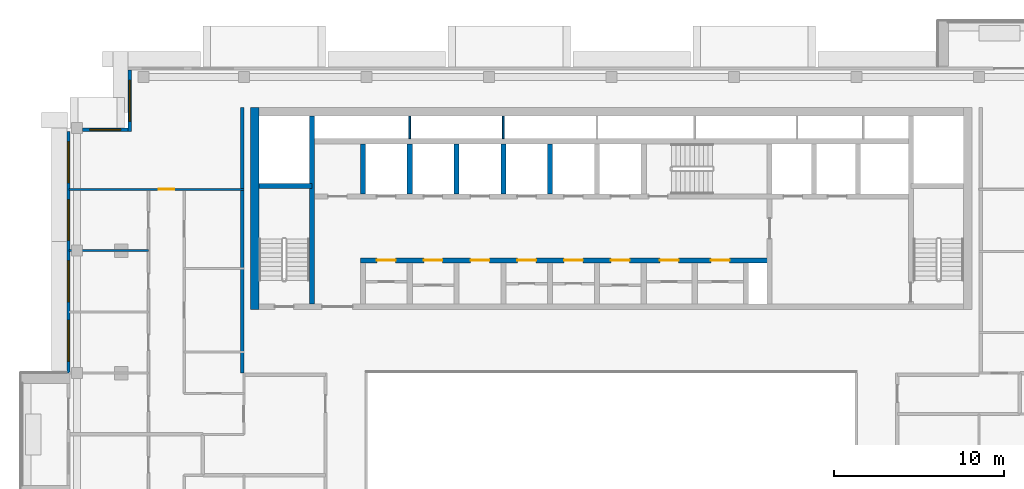
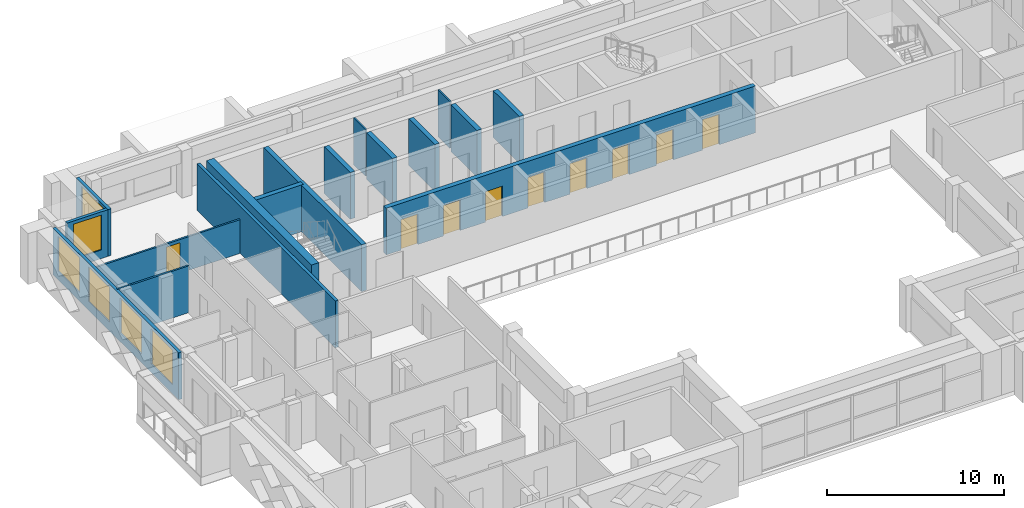
# One storey, part 10 of 19: 17 walls, 9 doors, 6 windows, 15 openings.
"""IFC4 building model written with IfcOpenShell, lengths in metres."""

from ifc_helpers import new_model, si_unit, direction, frame, frame_2d, origin, place, context, subcontext, project, spatial, rectangle, extrude, material, layer, layer_set, type_object, element, fill, save


model = new_model("IFC4")

# Units and contexts
model_context = context("Model", 3, precision=1e-05, world=origin(), true_north=direction((0.0, 1.0)))
body_context = subcontext(model_context, "Body", "Model", "MODEL_VIEW")
ifc_project = project(units=[si_unit("LENGTHUNIT", "METRE"), si_unit("AREAUNIT", "SQUARE_METRE"), si_unit("VOLUMEUNIT", "CUBIC_METRE"), si_unit("PLANEANGLEUNIT", "RADIAN"), si_unit("MASSUNIT", "GRAM", prefix="KILO")], contexts=[model_context])

# Site, building, storey
site_placement = place(None, origin())
site = spatial("IfcSite", under=ifc_project, at=site_placement, CompositionType="ELEMENT")
building_placement = place(site_placement, origin())
building = spatial("IfcBuilding", under=site, at=building_placement, Name="Saffron Iwan Residences", CompositionType="ELEMENT")
storey_placement = place(building_placement, frame((0.0, 0.0, 236.0)))
storey = spatial("IfcBuildingStorey", under=building, at=storey_placement, Name="L63", CompositionType="ELEMENT", Elevation=236.0)

# Wall, opening, window
ifc_material_1 = material(Name="Concrete C40/50", Category="concrete")
ifc_layer_1 = layer(ifc_material_1, 0.199951171875)
ifc_layer_set_1 = layer_set([ifc_layer_1], Name="Concrete C40/50")
wall_type_1 = type_object("IfcWallType", Name="EXTERNAL WALL 200", PredefinedType="SOLIDWALL", material=ifc_layer_set_1)
wall_1_placement = place(storey_placement, frame((22.10009765625, 80.199951171875, 0.0), z_axis=(0.0, 0.0, 1.0), x_axis=(0.0, -1.0, 0.0)))
wall_1 = element("IfcWall", 1, at=wall_1_placement, inside=storey, type_object=wall_type_1, Name="External wall L63 F6.0", PredefinedType="SOLIDWALL", context=body_context, shape_type="SweptSolid", body=[
    extrude(rectangle(XDim=3.599853515625, YDim=0.199951171875, at=frame_2d((1.7998046875, 0.0))), origin(), (0.0, 0.0, 1.0), 3.219970703125),
])
opening_1_placement = place(wall_1_placement, frame((0.60009765625, 0.0, 0.60009765625)))
opening_1 = element("IfcOpeningElement", 2, at=opening_1_placement, cuts=wall_1, Name="Opening W1", PredefinedType="OPENING", context=body_context, shape_type="SweptSolid", body=[
    extrude(rectangle(XDim=2.39990234375, YDim=2.39990234375, at=frame_2d((1.199951171875, 1.199951171875))), frame((0.0, 0.10986328125, 0.0), z_axis=(0.0, -1.0, 0.0), x_axis=(1.0, 0.0, 0.0)), (0.0, 0.0, 1.0), 0.219970703125),
])
ifc_material_2 = material(Name="Clear glass, laminated double glazed", Category="glass")
window_type_1 = type_object("IfcWindowType", Name="WINDOW 2400 x 2400", PartitioningType="DOUBLE_PANEL_VERTICAL", PredefinedType="WINDOW", material=ifc_material_2)
window_1_placement = place(opening_1_placement, origin())
window_1 = element("IfcWindow", 3, at=window_1_placement, inside=storey, type_object=window_type_1, Name="Window L63 F6.0", OverallHeight=2.39990234375, OverallWidth=2.39990234375, PartitioningType="DOUBLE_PANEL_VERTICAL", PredefinedType="WINDOW", context=body_context, shape_type="SweptSolid", body=[
    extrude(rectangle(XDim=2.39990234375, YDim=2.39990234375, at=frame_2d((1.199951171875, 1.199951171875))), frame((0.0, 0.030029296875, 0.0), z_axis=(0.0, -1.0, 0.0), x_axis=(1.0, 0.0, 0.0)), (0.0, 0.0, 1.0), 0.06005859375),
])
fill(opening_1, window_1)

wall_2_placement = place(storey_placement, frame((22.0, 76.699951171875, 0.0), z_axis=(0.0, 0.0, 1.0), x_axis=(-1.0, 0.0, 0.0)))
wall_2 = element("IfcWall", 4, at=wall_2_placement, inside=storey, type_object=wall_type_1, Name="External wall L63 F7.0", PredefinedType="SOLIDWALL", context=body_context, shape_type="SweptSolid", body=[
    extrude(rectangle(XDim=2.675048828125, YDim=0.199951171875, at=frame_2d((1.33740234375, 0.0))), origin(), (0.0, 0.0, 1.0), 3.219970703125),
])
opening_2_placement = place(wall_2_placement, frame((0.4375, 0.0, 0.60009765625)))
opening_2 = element("IfcOpeningElement", 5, at=opening_2_placement, cuts=wall_2, Name="Opening W8", PredefinedType="OPENING", context=body_context, shape_type="SweptSolid", body=[
    extrude(rectangle(XDim=1.800048828125, YDim=2.39990234375, at=frame_2d((0.89990234375, 1.199951171875))), frame((0.0, 0.10986328125, 0.0), z_axis=(0.0, -1.0, 0.0), x_axis=(1.0, 0.0, 0.0)), (0.0, 0.0, 1.0), 0.219970703125),
])
window_type_2 = type_object("IfcWindowType", Name="WINDOW 1800 x 2400", PartitioningType="DOUBLE_PANEL_VERTICAL", PredefinedType="WINDOW", material=ifc_material_2)
window_2_placement = place(opening_2_placement, origin())
window_2 = element("IfcWindow", 6, at=window_2_placement, inside=storey, type_object=window_type_2, Name="Window L63 F7.0", OverallHeight=2.39990234375, OverallWidth=1.800048828125, PartitioningType="DOUBLE_PANEL_VERTICAL", PredefinedType="WINDOW", context=body_context, shape_type="SweptSolid", body=[
    extrude(rectangle(XDim=1.800048828125, YDim=2.39990234375, at=frame_2d((0.89990234375, 1.199951171875))), frame((0.0, 0.030029296875, 0.0), z_axis=(0.0, -1.0, 0.0), x_axis=(1.0, 0.0, 0.0)), (0.0, 0.0, 1.0), 0.06005859375),
])
fill(opening_2, window_2)

# Wall, openings, windows
wall_3_placement = place(storey_placement, frame((18.5, 76.60009765625, 0.0), z_axis=(0.0, 0.0, 1.0), x_axis=(0.0, -1.0, 0.0)))
wall_3 = element("IfcWall", 7, at=wall_3_placement, inside=storey, type_object=wall_type_1, Name="External wall L63 F8.0", PredefinedType="SOLIDWALL", context=body_context, shape_type="SweptSolid", body=[
    extrude(rectangle(XDim=14.2001953125, YDim=0.199951171875, at=frame_2d((7.10009765625, 0.0))), origin(), (0.0, 0.0, 1.0), 3.219970703125),
])
opening_3_placement = place(wall_3_placement, frame((11.10009765625, 0.0, 0.60009765625)))
opening_3 = element("IfcOpeningElement", 8, at=opening_3_placement, cuts=wall_3, Name="Opening W1", PredefinedType="OPENING", context=body_context, shape_type="SweptSolid", body=[
    extrude(rectangle(XDim=2.39990234375, YDim=2.39990234375, at=frame_2d((1.199951171875, 1.199951171875))), frame((0.0, 0.10986328125, 0.0), z_axis=(0.0, -1.0, 0.0), x_axis=(1.0, 0.0, 0.0)), (0.0, 0.0, 1.0), 0.219970703125),
])
opening_4_placement = place(wall_3_placement, frame((7.60009765625, 0.0, 0.60009765625)))
opening_4 = element("IfcOpeningElement", 9, at=opening_4_placement, cuts=wall_3, Name="Opening W1", PredefinedType="OPENING", context=body_context, shape_type="SweptSolid", body=[
    extrude(rectangle(XDim=2.39990234375, YDim=2.39990234375, at=frame_2d((1.199951171875, 1.199951171875))), frame((0.0, 0.10986328125, 0.0), z_axis=(0.0, -1.0, 0.0), x_axis=(1.0, 0.0, 0.0)), (0.0, 0.0, 1.0), 0.219970703125),
])
opening_5_placement = place(wall_3_placement, frame((4.0, 0.0, 0.60009765625)))
opening_5 = element("IfcOpeningElement", 10, at=opening_5_placement, cuts=wall_3, Name="Opening W1", PredefinedType="OPENING", context=body_context, shape_type="SweptSolid", body=[
    extrude(rectangle(XDim=2.39990234375, YDim=2.39990234375, at=frame_2d((1.199951171875, 1.199951171875))), frame((0.0, 0.10986328125, 0.0), z_axis=(0.0, -1.0, 0.0), x_axis=(1.0, 0.0, 0.0)), (0.0, 0.0, 1.0), 0.219970703125),
])
opening_6_placement = place(wall_3_placement, frame((0.60009765625, 0.0, 0.60009765625)))
opening_6 = element("IfcOpeningElement", 11, at=opening_6_placement, cuts=wall_3, Name="Opening W1", PredefinedType="OPENING", context=body_context, shape_type="SweptSolid", body=[
    extrude(rectangle(XDim=2.39990234375, YDim=2.39990234375, at=frame_2d((1.199951171875, 1.199951171875))), frame((0.0, 0.10986328125, 0.0), z_axis=(0.0, -1.0, 0.0), x_axis=(1.0, 0.0, 0.0)), (0.0, 0.0, 1.0), 0.219970703125),
])
window_3_placement = place(opening_3_placement, origin())
window_3 = element("IfcWindow", 12, at=window_3_placement, inside=storey, type_object=window_type_1, Name="Window L63 F8.0", OverallHeight=2.39990234375, OverallWidth=2.39990234375, PartitioningType="DOUBLE_PANEL_VERTICAL", PredefinedType="WINDOW", context=body_context, shape_type="SweptSolid", body=[
    extrude(rectangle(XDim=2.39990234375, YDim=2.39990234375, at=frame_2d((1.199951171875, 1.199951171875))), frame((0.0, 0.030029296875, 0.0), z_axis=(0.0, -1.0, 0.0), x_axis=(1.0, 0.0, 0.0)), (0.0, 0.0, 1.0), 0.06005859375),
])
fill(opening_3, window_3)
window_4_placement = place(opening_4_placement, origin())
window_4 = element("IfcWindow", 13, at=window_4_placement, inside=storey, type_object=window_type_1, Name="Window L63 F8.1", OverallHeight=2.39990234375, OverallWidth=2.39990234375, PartitioningType="DOUBLE_PANEL_VERTICAL", PredefinedType="WINDOW", context=body_context, shape_type="SweptSolid", body=[
    extrude(rectangle(XDim=2.39990234375, YDim=2.39990234375, at=frame_2d((1.199951171875, 1.199951171875))), frame((0.0, 0.030029296875, 0.0), z_axis=(0.0, -1.0, 0.0), x_axis=(1.0, 0.0, 0.0)), (0.0, 0.0, 1.0), 0.06005859375),
])
fill(opening_4, window_4)
window_5_placement = place(opening_5_placement, origin())
window_5 = element("IfcWindow", 14, at=window_5_placement, inside=storey, type_object=window_type_1, Name="Window L63 F8.2", OverallHeight=2.39990234375, OverallWidth=2.39990234375, PartitioningType="DOUBLE_PANEL_VERTICAL", PredefinedType="WINDOW", context=body_context, shape_type="SweptSolid", body=[
    extrude(rectangle(XDim=2.39990234375, YDim=2.39990234375, at=frame_2d((1.199951171875, 1.199951171875))), frame((0.0, 0.030029296875, 0.0), z_axis=(0.0, -1.0, 0.0), x_axis=(1.0, 0.0, 0.0)), (0.0, 0.0, 1.0), 0.06005859375),
])
fill(opening_5, window_5)
window_6_placement = place(opening_6_placement, origin())
window_6 = element("IfcWindow", 15, at=window_6_placement, inside=storey, type_object=window_type_1, Name="Window L63 F8.3", OverallHeight=2.39990234375, OverallWidth=2.39990234375, PartitioningType="DOUBLE_PANEL_VERTICAL", PredefinedType="WINDOW", context=body_context, shape_type="SweptSolid", body=[
    extrude(rectangle(XDim=2.39990234375, YDim=2.39990234375, at=frame_2d((1.199951171875, 1.199951171875))), frame((0.0, 0.030029296875, 0.0), z_axis=(0.0, -1.0, 0.0), x_axis=(1.0, 0.0, 0.0)), (0.0, 0.0, 1.0), 0.06005859375),
])
fill(opening_6, window_6)

# Wall
ifc_material_3 = material(Name="Gypsum board partition")
ifc_layer_2 = layer(ifc_material_3, 0.1201171875)
ifc_layer_set_2 = layer_set([ifc_layer_2], Name="Gypsum board partition")
wall_type_2 = type_object("IfcWallType", Name="Flat partition 120", PredefinedType="PARTITIONING", material=ifc_layer_set_2)
wall_4_placement = place(storey_placement, frame((18.52490234375, 69.60009765625, 0.0), z_axis=(0.0, 0.0, 1.0), x_axis=(1.0, 0.0, 0.0)))
element("IfcWall", 16, at=wall_4_placement, inside=storey, type_object=wall_type_2, Name="W-L63-PART-h69.6-18.525", PredefinedType="PARTITIONING", context=body_context, shape_type="SweptSolid", body=[
    extrude(rectangle(XDim=4.675048828125, YDim=0.1201171875, at=frame_2d((2.33740234375, 0.0))), origin(), (0.0, 0.0, 1.0), 3.219970703125),
])

# Wall, opening, door
wall_5_placement = place(storey_placement, frame((18.52490234375, 73.199951171875, 0.0), z_axis=(0.0, 0.0, 1.0), x_axis=(1.0, 0.0, 0.0)))
wall_5 = element("IfcWall", 17, at=wall_5_placement, inside=storey, type_object=wall_type_2, Name="W-L63-PART-h73.2-18.525", PredefinedType="PARTITIONING", context=body_context, shape_type="SweptSolid", body=[
    extrude(rectangle(XDim=10.275146484375, YDim=0.1201171875, at=frame_2d((5.1376953125, 0.0))), origin(), (0.0, 0.0, 1.0), 2.320068359375),
])
opening_7_placement = place(wall_5_placement, frame((5.27490234375, 0.0, 0.0)))
opening_7 = element("IfcOpeningElement", 18, at=opening_7_placement, cuts=wall_5, Name="Opening FD2", PredefinedType="OPENING", context=body_context, shape_type="SweptSolid", body=[
    extrude(rectangle(XDim=0.89990234375, YDim=2.10009765625, at=frame_2d((0.449951171875, 1.050048828125))), frame((0.0, 0.070068359375, 0.0), z_axis=(0.0, -1.0, 0.0), x_axis=(1.0, 0.0, 0.0)), (0.0, 0.0, 1.0), 0.14013671875),
])
ifc_material_4 = material(Name="Timber door", Category="wood")
door_type_1 = type_object("IfcDoorType", Name="Flat door 900", OperationType="NOTDEFINED", PredefinedType="DOOR", material=ifc_material_4)
door_1_placement = place(opening_7_placement, origin())
door_1 = element("IfcDoor", 19, at=door_1_placement, inside=storey, type_object=door_type_1, Name="Door L63-029", OperationType="SINGLE_SWING_LEFT", OverallHeight=2.10009765625, OverallWidth=0.89990234375, PredefinedType="DOOR", context=body_context, shape_type="SweptSolid", body=[
    extrude(rectangle(XDim=0.89990234375, YDim=2.10009765625, at=frame_2d((0.449951171875, 1.050048828125))), frame((0.0, 0.02490234375, 0.0), z_axis=(0.0, -1.0, 0.0), x_axis=(1.0, 0.0, 0.0)), (0.0, 0.0, 1.0), 0.050048828125),
])
fill(opening_7, door_1)

# Walls
ifc_material_5 = material(Name="Fire-rated gypsum board wall")
ifc_layer_3 = layer(ifc_material_5, 0.199951171875)
ifc_layer_set_3 = layer_set([ifc_layer_3], Name="Fire-rated gypsum board wall")
wall_type_3 = type_object("IfcWallType", Name="Gallery wall 200", PredefinedType="SOLIDWALL", material=ifc_layer_set_3)
wall_6_placement = place(storey_placement, frame((28.699951171875, 62.39990234375, 0.0), z_axis=(0.0, 0.0, 1.0), x_axis=(0.0, 1.0, 0.0)))
element("IfcWall", 20, at=wall_6_placement, inside=storey, type_object=wall_type_3, Name="W-L63-CORR-v28.8-62.4", PredefinedType="SOLIDWALL", context=body_context, shape_type="SweptSolid", body=[
    extrude(rectangle(XDim=15.60009765625, YDim=0.199951171875, at=frame_2d((7.800048828125, 0.0))), origin(), (0.0, 0.0, 1.0), 3.219970703125),
])
ifc_material_6 = material(Name="Fire-rated plasterboard partition")
ifc_layer_4 = layer(ifc_material_6, 0.10009765625)
ifc_layer_set_4 = layer_set([ifc_layer_4], Name="Fire-rated plasterboard partition")
wall_type_4 = type_object("IfcWallType", Name="Riser partition 100", PredefinedType="PARTITIONING", material=ifc_layer_set_4)
for number, where, z_axis, x_axis, name in (
    (21, (38.550048828125, 76.175048828125, 0.0), (0.0, 0.0, 1.0), (0.0, 1.0, 0.0), "Core partition P08"),
    (22, (44.050048828125, 76.175048828125, 0.0), (0.0, 0.0, 1.0), (0.0, 1.0, 0.0), "Core partition P09"),
):
    element("IfcWall", number, at=place(storey_placement, frame(where, z_axis=z_axis, x_axis=x_axis)), inside=storey, type_object=wall_type_4, Name=name, PredefinedType="PARTITIONING", context=body_context, shape_type="SweptSolid", body=[
        extrude(rectangle(XDim=1.324951171875, YDim=0.10009765625, at=frame_2d((0.66259765625, 0.0))), origin(), (0.0, 0.0, 1.0), 3.219970703125),
    ])

# Wall, openings, doors
ifc_layer_5 = layer(ifc_material_1, 0.300048828125)
ifc_layer_set_5 = layer_set([ifc_layer_5], Name="Concrete C40/50")
wall_type_5 = type_object("IfcWallType", Name="WALL CORE 300 C40/50 3220 HIGH", PredefinedType="SHEAR", material=ifc_layer_set_5)
wall_7_placement = place(storey_placement, frame((35.64990234375, 69.02490234375, 0.0), z_axis=(0.0, 0.0, 1.0), x_axis=(1.0, 0.0, 0.0)))
wall_7 = element("IfcWall", 23, at=wall_7_placement, inside=storey, type_object=wall_type_5, Name="Core wall", PredefinedType="SHEAR", context=body_context, shape_type="SweptSolid", body=[
    extrude(rectangle(XDim=24.050048828125, YDim=0.300048828125, at=frame_2d((12.02490234375, 0.0))), origin(), (0.0, 0.0, 1.0), 3.219970703125),
])
opening_8_placement = place(wall_7_placement, frame((0.97509765625, 0.0, 0.0)))
opening_8 = element("IfcOpeningElement", 24, at=opening_8_placement, cuts=wall_7, Name="Opening SR", PredefinedType="OPENING", context=body_context, shape_type="SweptSolid", body=[
    extrude(rectangle(XDim=1.10009765625, YDim=2.10009765625, at=frame_2d((0.550048828125, 1.050048828125))), frame((0.0, 0.16015625, 0.0), z_axis=(0.0, -1.0, 0.0), x_axis=(1.0, 0.0, 0.0)), (0.0, 0.0, 1.0), 0.320068359375),
])
opening_9_placement = place(wall_7_placement, frame((3.72509765625, 0.0, 0.0)))
opening_9 = element("IfcOpeningElement", 25, at=opening_9_placement, cuts=wall_7, Name="Opening SR", PredefinedType="OPENING", context=body_context, shape_type="SweptSolid", body=[
    extrude(rectangle(XDim=1.10009765625, YDim=2.10009765625, at=frame_2d((0.550048828125, 1.050048828125))), frame((0.0, 0.16015625, 0.0), z_axis=(0.0, -1.0, 0.0), x_axis=(1.0, 0.0, 0.0)), (0.0, 0.0, 1.0), 0.320068359375),
])
opening_10_placement = place(wall_7_placement, frame((6.47509765625, 0.0, 0.0)))
opening_10 = element("IfcOpeningElement", 26, at=opening_10_placement, cuts=wall_7, Name="Opening SR", PredefinedType="OPENING", context=body_context, shape_type="SweptSolid", body=[
    extrude(rectangle(XDim=1.10009765625, YDim=2.10009765625, at=frame_2d((0.550048828125, 1.050048828125))), frame((0.0, 0.16015625, 0.0), z_axis=(0.0, -1.0, 0.0), x_axis=(1.0, 0.0, 0.0)), (0.0, 0.0, 1.0), 0.320068359375),
])
opening_11_placement = place(wall_7_placement, frame((9.22509765625, 0.0, 0.0)))
opening_11 = element("IfcOpeningElement", 27, at=opening_11_placement, cuts=wall_7, Name="Opening SR", PredefinedType="OPENING", context=body_context, shape_type="SweptSolid", body=[
    extrude(rectangle(XDim=1.10009765625, YDim=2.10009765625, at=frame_2d((0.550048828125, 1.050048828125))), frame((0.0, 0.16015625, 0.0), z_axis=(0.0, -1.0, 0.0), x_axis=(1.0, 0.0, 0.0)), (0.0, 0.0, 1.0), 0.320068359375),
])
opening_12_placement = place(wall_7_placement, frame((11.97509765625, 0.0, 0.0)))
opening_12 = element("IfcOpeningElement", 28, at=opening_12_placement, cuts=wall_7, Name="Opening SR", PredefinedType="OPENING", context=body_context, shape_type="SweptSolid", body=[
    extrude(rectangle(XDim=1.10009765625, YDim=2.10009765625, at=frame_2d((0.550048828125, 1.050048828125))), frame((0.0, 0.16015625, 0.0), z_axis=(0.0, -1.0, 0.0), x_axis=(1.0, 0.0, 0.0)), (0.0, 0.0, 1.0), 0.320068359375),
])
opening_13_placement = place(wall_7_placement, frame((14.72509765625, 0.0, 0.0)))
opening_13 = element("IfcOpeningElement", 29, at=opening_13_placement, cuts=wall_7, Name="Opening SR", PredefinedType="OPENING", context=body_context, shape_type="SweptSolid", body=[
    extrude(rectangle(XDim=1.10009765625, YDim=2.10009765625, at=frame_2d((0.550048828125, 1.050048828125))), frame((0.0, 0.16015625, 0.0), z_axis=(0.0, -1.0, 0.0), x_axis=(1.0, 0.0, 0.0)), (0.0, 0.0, 1.0), 0.320068359375),
])
opening_14_placement = place(wall_7_placement, frame((17.60009765625, 0.0, 0.0)))
opening_14 = element("IfcOpeningElement", 30, at=opening_14_placement, cuts=wall_7, Name="Opening SR", PredefinedType="OPENING", context=body_context, shape_type="SweptSolid", body=[
    extrude(rectangle(XDim=1.10009765625, YDim=2.10009765625, at=frame_2d((0.550048828125, 1.050048828125))), frame((0.0, 0.16015625, 0.0), z_axis=(0.0, -1.0, 0.0), x_axis=(1.0, 0.0, 0.0)), (0.0, 0.0, 1.0), 0.320068359375),
])
opening_15_placement = place(wall_7_placement, frame((20.60009765625, 0.0, 0.0)))
opening_15 = element("IfcOpeningElement", 31, at=opening_15_placement, cuts=wall_7, Name="Opening SR", PredefinedType="OPENING", context=body_context, shape_type="SweptSolid", body=[
    extrude(rectangle(XDim=1.10009765625, YDim=2.10009765625, at=frame_2d((0.550048828125, 1.050048828125))), frame((0.0, 0.16015625, 0.0), z_axis=(0.0, -1.0, 0.0), x_axis=(1.0, 0.0, 0.0)), (0.0, 0.0, 1.0), 0.320068359375),
])
ifc_material_7 = material(Name="Steel fire door", Category="steel")
door_type_2 = type_object("IfcDoorType", Name="Service door 1100", OperationType="NOTDEFINED", PredefinedType="DOOR", material=ifc_material_7)
door_2_placement = place(opening_8_placement, origin())
door_2 = element("IfcDoor", 32, at=door_2_placement, inside=storey, type_object=door_type_2, Name="Door Switch room", OperationType="SINGLE_SWING_RIGHT", OverallHeight=2.10009765625, OverallWidth=1.10009765625, PredefinedType="DOOR", context=body_context, shape_type="SweptSolid", body=[
    extrude(rectangle(XDim=1.10009765625, YDim=2.10009765625, at=frame_2d((0.550048828125, 1.050048828125))), frame((0.0, 0.02490234375, 0.0), z_axis=(0.0, -1.0, 0.0), x_axis=(1.0, 0.0, 0.0)), (0.0, 0.0, 1.0), 0.050048828125),
])
fill(opening_8, door_2)
door_3_placement = place(opening_9_placement, origin())
door_3 = element("IfcDoor", 33, at=door_3_placement, inside=storey, type_object=door_type_2, Name="Door Furniture store", OperationType="SINGLE_SWING_LEFT", OverallHeight=2.10009765625, OverallWidth=1.10009765625, PredefinedType="DOOR", context=body_context, shape_type="SweptSolid", body=[
    extrude(rectangle(XDim=1.10009765625, YDim=2.10009765625, at=frame_2d((0.550048828125, 1.050048828125))), frame((0.0, 0.02490234375, 0.0), z_axis=(0.0, -1.0, 0.0), x_axis=(1.0, 0.0, 0.0)), (0.0, 0.0, 1.0), 0.050048828125),
])
fill(opening_9, door_3)
door_4_placement = place(opening_10_placement, origin())
door_4 = element("IfcDoor", 34, at=door_4_placement, inside=storey, type_object=door_type_2, Name="Door Housekeeping store", OperationType="SINGLE_SWING_RIGHT", OverallHeight=2.10009765625, OverallWidth=1.10009765625, PredefinedType="DOOR", context=body_context, shape_type="SweptSolid", body=[
    extrude(rectangle(XDim=1.10009765625, YDim=2.10009765625, at=frame_2d((0.550048828125, 1.050048828125))), frame((0.0, 0.02490234375, 0.0), z_axis=(0.0, -1.0, 0.0), x_axis=(1.0, 0.0, 0.0)), (0.0, 0.0, 1.0), 0.050048828125),
])
fill(opening_10, door_4)
door_5_placement = place(opening_11_placement, origin())
door_5 = element("IfcDoor", 35, at=door_5_placement, inside=storey, type_object=door_type_2, Name="Door Cleaner's store", OperationType="SINGLE_SWING_LEFT", OverallHeight=2.10009765625, OverallWidth=1.10009765625, PredefinedType="DOOR", context=body_context, shape_type="SweptSolid", body=[
    extrude(rectangle(XDim=1.10009765625, YDim=2.10009765625, at=frame_2d((0.550048828125, 1.050048828125))), frame((0.0, 0.02490234375, 0.0), z_axis=(0.0, -1.0, 0.0), x_axis=(1.0, 0.0, 0.0)), (0.0, 0.0, 1.0), 0.050048828125),
])
fill(opening_11, door_5)
door_6_placement = place(opening_12_placement, origin())
door_6 = element("IfcDoor", 36, at=door_6_placement, inside=storey, type_object=door_type_2, Name="Door Trolley store", OperationType="SINGLE_SWING_RIGHT", OverallHeight=2.10009765625, OverallWidth=1.10009765625, PredefinedType="DOOR", context=body_context, shape_type="SweptSolid", body=[
    extrude(rectangle(XDim=1.10009765625, YDim=2.10009765625, at=frame_2d((0.550048828125, 1.050048828125))), frame((0.0, 0.02490234375, 0.0), z_axis=(0.0, -1.0, 0.0), x_axis=(1.0, 0.0, 0.0)), (0.0, 0.0, 1.0), 0.050048828125),
])
fill(opening_12, door_6)
door_7_placement = place(opening_13_placement, origin())
door_7 = element("IfcDoor", 37, at=door_7_placement, inside=storey, type_object=door_type_2, Name="Door Communications room", OperationType="SINGLE_SWING_LEFT", OverallHeight=2.10009765625, OverallWidth=1.10009765625, PredefinedType="DOOR", context=body_context, shape_type="SweptSolid", body=[
    extrude(rectangle(XDim=1.10009765625, YDim=2.10009765625, at=frame_2d((0.550048828125, 1.050048828125))), frame((0.0, 0.02490234375, 0.0), z_axis=(0.0, -1.0, 0.0), x_axis=(1.0, 0.0, 0.0)), (0.0, 0.0, 1.0), 0.050048828125),
])
fill(opening_13, door_7)
door_8_placement = place(opening_14_placement, origin())
door_8 = element("IfcDoor", 38, at=door_8_placement, inside=storey, type_object=door_type_2, Name="Door Refuse store", OperationType="SINGLE_SWING_RIGHT", OverallHeight=2.10009765625, OverallWidth=1.10009765625, PredefinedType="DOOR", context=body_context, shape_type="SweptSolid", body=[
    extrude(rectangle(XDim=1.10009765625, YDim=2.10009765625, at=frame_2d((0.550048828125, 1.050048828125))), frame((0.0, 0.02490234375, 0.0), z_axis=(0.0, -1.0, 0.0), x_axis=(1.0, 0.0, 0.0)), (0.0, 0.0, 1.0), 0.050048828125),
])
fill(opening_14, door_8)
door_9_placement = place(opening_15_placement, origin())
door_9 = element("IfcDoor", 39, at=door_9_placement, inside=storey, type_object=door_type_2, Name="Door Maintenance store", OperationType="SINGLE_SWING_RIGHT", OverallHeight=2.10009765625, OverallWidth=1.10009765625, PredefinedType="DOOR", context=body_context, shape_type="SweptSolid", body=[
    extrude(rectangle(XDim=1.10009765625, YDim=2.10009765625, at=frame_2d((0.550048828125, 1.050048828125))), frame((0.0, 0.02490234375, 0.0), z_axis=(0.0, -1.0, 0.0), x_axis=(1.0, 0.0, 0.0)), (0.0, 0.0, 1.0), 0.050048828125),
])
fill(opening_15, door_9)

# Walls
wall_8_placement = place(storey_placement, frame((29.699951171875, 73.39990234375, 0.0), z_axis=(0.0, 0.0, 1.0), x_axis=(1.0, 0.0, 0.0)))
element("IfcWall", 40, at=wall_8_placement, inside=storey, type_object=wall_type_5, Name="Core wall", PredefinedType="SHEAR", context=body_context, shape_type="SweptSolid", body=[
    extrude(rectangle(XDim=3.10009765625, YDim=0.300048828125, at=frame_2d((1.550048828125, 0.0))), origin(), (0.0, 0.0, 1.0), 3.219970703125),
])
wall_9_placement = place(storey_placement, frame((32.800048828125, 66.449951171875, 0.0), z_axis=(0.0, 0.0, 1.0), x_axis=(0.0, 1.0, 0.0)))
element("IfcWall", 41, at=wall_9_placement, inside=storey, type_object=wall_type_5, Name="Core wall", PredefinedType="SHEAR", context=body_context, shape_type="SweptSolid", body=[
    extrude(rectangle(XDim=11.050048828125, YDim=0.300048828125, at=frame_2d((5.52490234375, 0.0))), origin(), (0.0, 0.0, 1.0), 3.219970703125),
])
for number, where, z_axis, x_axis, name in (
    (42, (35.800048828125, 72.925048828125, 0.0), (0.0, 0.0, 1.0), (0.0, 1.0, 0.0), "Core wall"),
    (43, (38.550048828125, 72.925048828125, 0.0), (0.0, 0.0, 1.0), (0.0, 1.0, 0.0), "Core wall"),
    (44, (41.300048828125, 72.925048828125, 0.0), (0.0, 0.0, 1.0), (0.0, 1.0, 0.0), "Core wall"),
    (45, (44.050048828125, 72.925048828125, 0.0), (0.0, 0.0, 1.0), (0.0, 1.0, 0.0), "Core wall"),
    (46, (46.800048828125, 72.925048828125, 0.0), (0.0, 0.0, 1.0), (0.0, 1.0, 0.0), "Core wall"),
):
    element("IfcWall", number, at=place(storey_placement, frame(where, z_axis=z_axis, x_axis=x_axis)), inside=storey, type_object=wall_type_5, Name=name, PredefinedType="SHEAR", context=body_context, shape_type="SweptSolid", body=[
        extrude(rectangle(XDim=2.949951171875, YDim=0.300048828125, at=frame_2d((1.47509765625, 0.0))), origin(), (0.0, 0.0, 1.0), 3.219970703125),
    ])
ifc_layer_6 = layer(ifc_material_1, 0.5)
ifc_layer_set_6 = layer_set([ifc_layer_6], Name="Concrete C40/50")
wall_type_6 = type_object("IfcWallType", Name="WALL CORE 500 C40/50 3220 HIGH", PredefinedType="SHEAR", material=ifc_layer_set_6)
wall_10_placement = place(storey_placement, frame((29.449951171875, 66.14990234375, 0.0), z_axis=(0.0, 0.0, 1.0), x_axis=(0.0, 1.0, 0.0)))
element("IfcWall", 47, at=wall_10_placement, inside=storey, type_object=wall_type_6, Name="Core wall", PredefinedType="SHEAR", context=body_context, shape_type="SweptSolid", body=[
    extrude(rectangle(XDim=11.85009765625, YDim=0.5, at=frame_2d((5.925048828125, 0.0))), origin(), (0.0, 0.0, 1.0), 3.219970703125),
])

save(model, "model.ifc")
